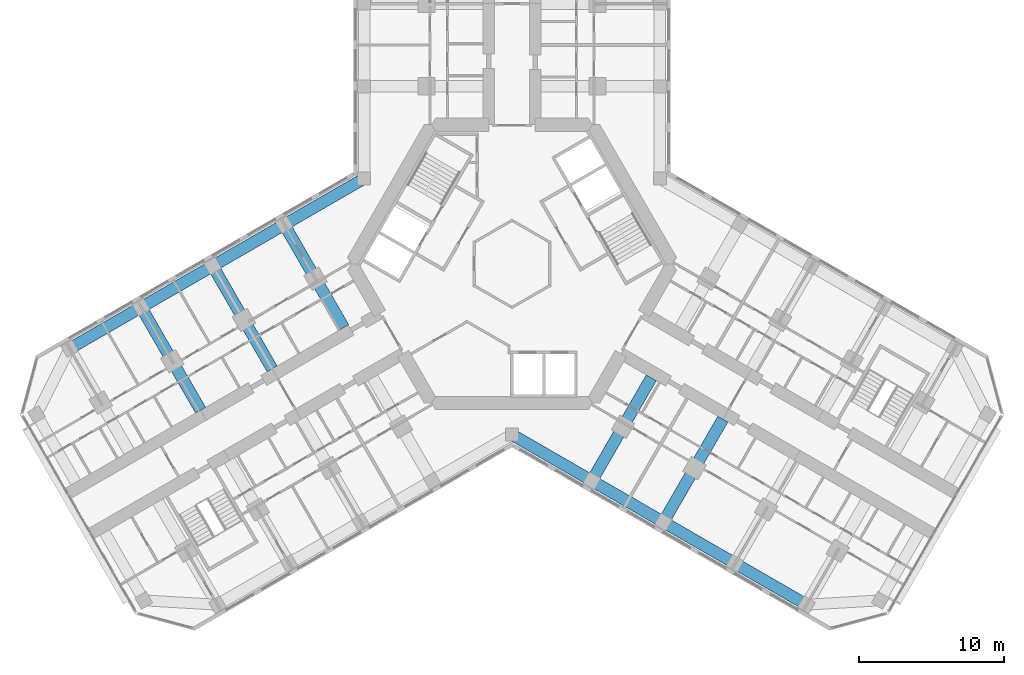
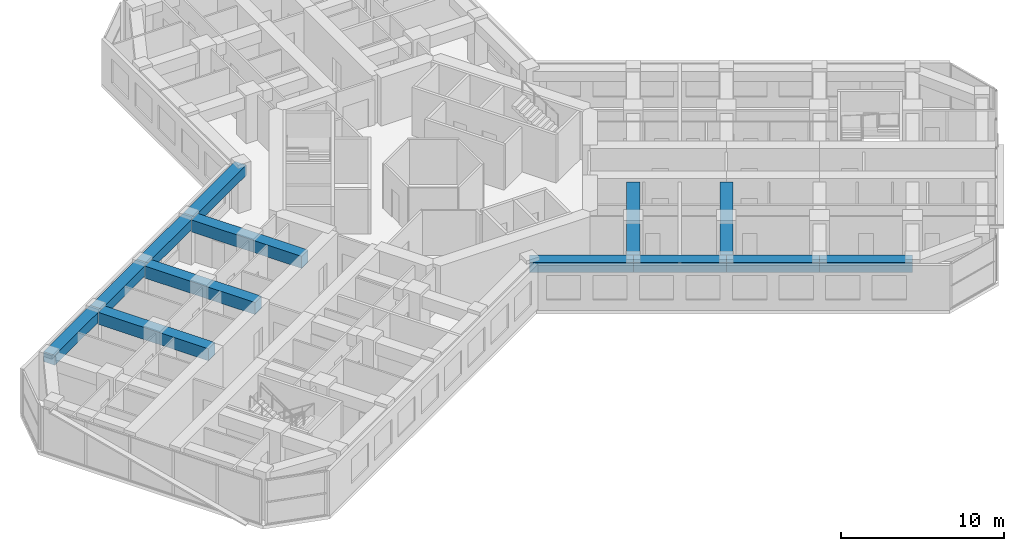
# One storey, part 4 of 19: 13 beams.
"""IFC4 building model written with IfcOpenShell, lengths in metres."""

from ifc_helpers import new_model, si_unit, direction, frame, origin, origin_2d, place, context, subcontext, project, spatial, rectangle, extrude, material, material_profile, profile_set, type_object, element, save


model = new_model("IFC4")

# Units and contexts
model_context = context("Model", 3, precision=1e-05, world=origin(), true_north=direction((0.0, 1.0)))
body_context = subcontext(model_context, "Body", "Model", "MODEL_VIEW")
ifc_project = project(units=[si_unit("LENGTHUNIT", "METRE"), si_unit("AREAUNIT", "SQUARE_METRE"), si_unit("VOLUMEUNIT", "CUBIC_METRE"), si_unit("PLANEANGLEUNIT", "RADIAN"), si_unit("MASSUNIT", "GRAM", prefix="KILO")], contexts=[model_context])

# Site, building, storey
site_placement = place(None, origin())
site = spatial("IfcSite", under=ifc_project, at=site_placement, CompositionType="ELEMENT")
building_placement = place(site_placement, origin())
building = spatial("IfcBuilding", under=site, at=building_placement, Name="Kosmar Iwan School Tower", CompositionType="ELEMENT")
storey_placement = place(building_placement, frame((0.0, 0.0, 149.0)))
storey = spatial("IfcBuildingStorey", under=building, at=storey_placement, Name="L37", CompositionType="ELEMENT", Elevation=149.0)

# Beams
ifc_material_1 = material(Name="Concrete C50/60", Category="concrete")
ifc_material_profile_1 = material_profile(ifc_material_1, rectangle(XDim=0.800048828125, YDim=0.75, at=origin_2d()), Name="RC 800x750")
ifc_profile_set_1 = profile_set([ifc_material_profile_1], Name="Concrete C50/60")
beam_type_1 = type_object("IfcBeamType", Name="RC edge beam 800x750", PredefinedType="BEAM", material=ifc_profile_set_1)
beam_1_placement = place(storey_placement, frame((-10.199951171875, 5.888916015625, 2.97509765625), z_axis=(-0.866030912664, -0.49999045822, 0.0), x_axis=(0.49999045822, -0.866030912664, 0.0)))
element("IfcBeam", 1, at=beam_1_placement, inside=storey, type_object=beam_type_1, Name="Edge beam BR1", PredefinedType="BEAM", context=body_context, shape_type="SweptSolid", body=[
    extrude(rectangle(XDim=0.800048828125, YDim=0.75, at=origin_2d()), origin(), (0.0, 0.0, 1.0), 6.36083984375),
])
beam_2_placement = place(storey_placement, frame((-15.708740234375, 2.70849609375, 2.97509765625), z_axis=(-0.866025820012, -0.499999279071, 0.0), x_axis=(0.499999279071, -0.866025820012, 0.0)))
element("IfcBeam", 2, at=beam_2_placement, inside=storey, type_object=beam_type_1, Name="Edge beam BR2", PredefinedType="BEAM", context=body_context, shape_type="SweptSolid", body=[
    extrude(rectangle(XDim=0.800048828125, YDim=0.75, at=origin_2d()), origin(), (0.0, 0.0, 1.0), 5.7001953125),
])
for number, where, z_axis, x_axis, name in (
    (3, (-20.645263671875, -0.1416015625, 2.97509765625), (-0.866033658841, -0.49998570155, 0.0), (0.49998570155, -0.866033658841, 0.0), "Edge beam BR3"),
    (4, (-25.58154296875, -2.991455078125, 2.97509765625), (-0.866015111908, -0.50001782563, 0.0), (0.50001782563, -0.866015111908, 0.0), "Edge beam BR4"),
):
    element("IfcBeam", number, at=place(storey_placement, frame(where, z_axis=z_axis, x_axis=x_axis)), inside=storey, type_object=beam_type_1, Name=name, PredefinedType="BEAM", context=body_context, shape_type="SweptSolid", body=[
        extrude(rectangle(XDim=0.800048828125, YDim=0.75, at=origin_2d()), origin(), (0.0, 0.0, 1.0), 5.699951171875),
    ])
beam_3_placement = place(storey_placement, frame((0.0, -11.77783203125, 2.97509765625), z_axis=(0.866014293216, -0.500019243575, 0.0), x_axis=(0.500019243575, 0.866014293216, 0.0)))
element("IfcBeam", 5, at=beam_3_placement, inside=storey, type_object=beam_type_1, Name="Edge beam CR1", PredefinedType="BEAM", context=body_context, shape_type="SweptSolid", body=[
    extrude(rectangle(XDim=0.800048828125, YDim=0.75, at=origin_2d()), origin(), (0.0, 0.0, 1.0), 6.361083984375),
])
beam_4_placement = place(storey_placement, frame((5.5087890625, -14.95849609375, 2.97509765625), z_axis=(0.866033658841, -0.49998570155, 0.0), x_axis=(0.49998570155, 0.866033658841, 0.0)))
element("IfcBeam", 6, at=beam_4_placement, inside=storey, type_object=beam_type_1, Name="Edge beam CR2", PredefinedType="BEAM", context=body_context, shape_type="SweptSolid", body=[
    extrude(rectangle(XDim=0.800048828125, YDim=0.75, at=origin_2d()), origin(), (0.0, 0.0, 1.0), 5.699951171875),
])
beam_5_placement = place(storey_placement, frame((10.445068359375, -17.808349609375, 2.97509765625), z_axis=(0.866025820012, -0.499999279071, 0.0), x_axis=(0.499999279071, 0.866025820012, 0.0)))
element("IfcBeam", 7, at=beam_5_placement, inside=storey, type_object=beam_type_1, Name="Edge beam CR3", PredefinedType="BEAM", context=body_context, shape_type="SweptSolid", body=[
    extrude(rectangle(XDim=0.800048828125, YDim=0.75, at=origin_2d()), origin(), (0.0, 0.0, 1.0), 5.7001953125),
])
beam_6_placement = place(storey_placement, frame((15.381591796875, -20.658447265625, 2.97509765625), z_axis=(0.866015111908, -0.50001782563, 0.0), x_axis=(0.50001782563, 0.866015111908, 0.0)))
element("IfcBeam", 8, at=beam_6_placement, inside=storey, type_object=beam_type_1, Name="Edge beam CR4", PredefinedType="BEAM", context=body_context, shape_type="SweptSolid", body=[
    extrude(rectangle(XDim=0.800048828125, YDim=0.75, at=origin_2d()), origin(), (0.0, 0.0, 1.0), 5.699951171875),
])
ifc_material_2 = material(Name="Concrete C50/60", Category="concrete")
ifc_material_profile_2 = material_profile(ifc_material_2, rectangle(XDim=0.800048828125, YDim=0.89990234375, at=origin_2d()), Name="RC 800x900")
ifc_profile_set_2 = profile_set([ifc_material_profile_2], Name="Concrete C50/60")
beam_type_2 = type_object("IfcBeamType", Name="RC transverse beam 800x900", PredefinedType="BEAM", material=ifc_profile_set_2)
for number, where, z_axis, x_axis, name in (
    (9, (-15.708740234375, 2.70849609375, 2.89990234375), (0.499978459874, -0.866037839625, 0.0), (0.866037839625, 0.499978459874, 0.0), "Transverse beam BR1"),
    (10, (-20.645263671875, -0.1416015625, 2.89990234375), (0.500013681986, -0.866017504342, 0.0), (0.866017504342, 0.500013681986, 0.0), "Transverse beam BR2"),
):
    element("IfcBeam", number, at=place(storey_placement, frame(where, z_axis=z_axis, x_axis=x_axis)), inside=storey, type_object=beam_type_2, Name=name, PredefinedType="BEAM", context=body_context, shape_type="SweptSolid", body=[
        extrude(rectangle(XDim=0.800048828125, YDim=0.89990234375, at=origin_2d()), origin(), (0.0, 0.0, 1.0), 8.199951171875),
    ])
for number, where, z_axis, x_axis, name in (
    (11, (-25.58154296875, -2.991455078125, 2.89990234375), (0.500000789788, -0.8660249478, 0.0), (0.8660249478, 0.500000789788, 0.0), "Transverse beam BR3"),
    (12, (5.5087890625, -14.95849609375, 2.89990234375), (0.500000789788, 0.8660249478, 0.0), (-0.8660249478, 0.500000789788, 0.0), "Transverse beam CR1"),
):
    element("IfcBeam", number, at=place(storey_placement, frame(where, z_axis=z_axis, x_axis=x_axis)), inside=storey, type_object=beam_type_2, Name=name, PredefinedType="BEAM", context=body_context, shape_type="SweptSolid", body=[
        extrude(rectangle(XDim=0.800048828125, YDim=0.89990234375, at=origin_2d()), origin(), (0.0, 0.0, 1.0), 8.2001953125),
    ])
beam_7_placement = place(storey_placement, frame((10.445068359375, -17.808349609375, 2.89990234375), z_axis=(0.500013681986, 0.866017504342, 0.0), x_axis=(-0.866017504342, 0.500013681986, 0.0)))
element("IfcBeam", 13, at=beam_7_placement, inside=storey, type_object=beam_type_2, Name="Transverse beam CR2", PredefinedType="BEAM", context=body_context, shape_type="SweptSolid", body=[
    extrude(rectangle(XDim=0.800048828125, YDim=0.89990234375, at=origin_2d()), origin(), (0.0, 0.0, 1.0), 8.199951171875),
])

save(model, "model.ifc")
